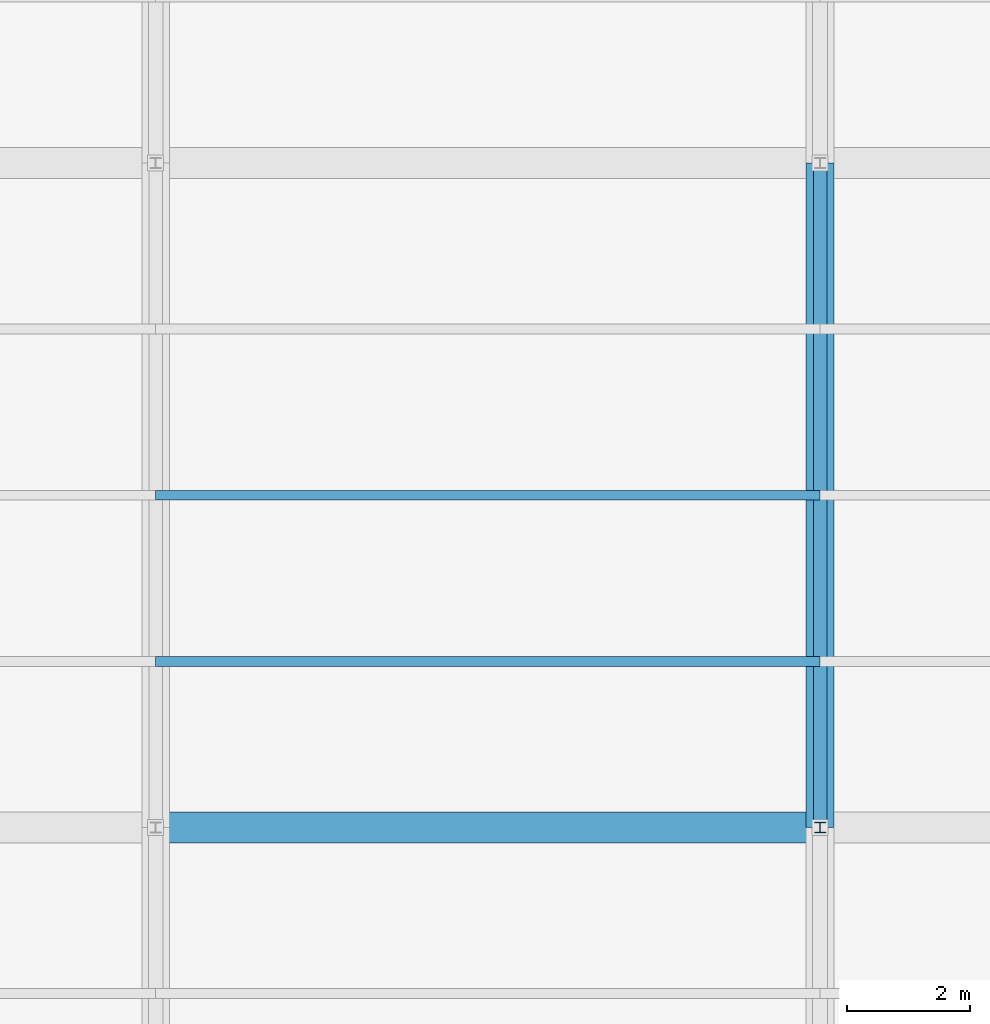
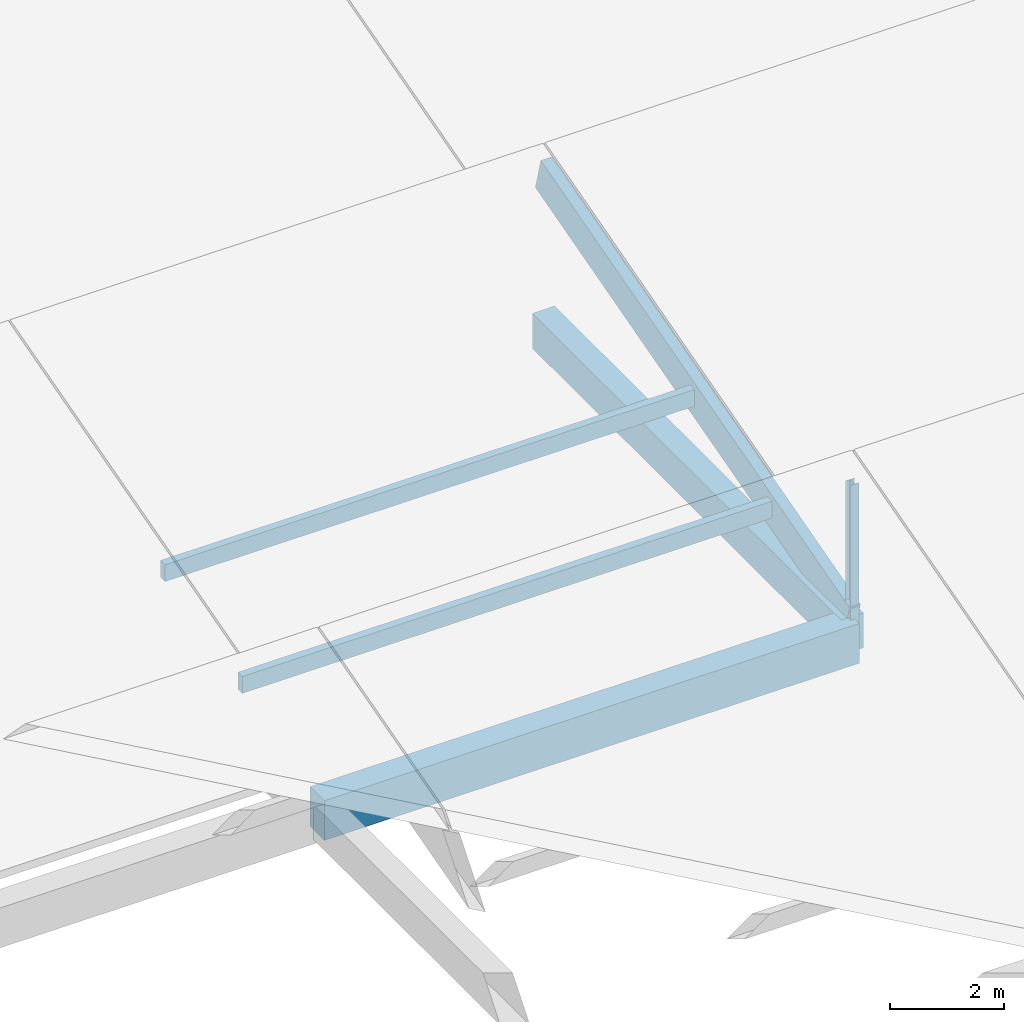
# One storey, part 10 of 112: 4 members, 2 beams.
"""IFC4 building model written with IfcOpenShell, lengths in metres."""

from ifc_helpers import new_model, si_unit, direction, frame, origin, origin_2d, place, context, subcontext, project, spatial, rectangle, i_section, extrude, material, material_profile, profile_set, type_object, element, save


model = new_model("IFC4")

# Units and contexts
model_context = context("Model", 3, precision=1e-05, world=origin(), true_north=direction((0.0, 1.0)))
body_context = subcontext(model_context, "Body", "Model", "MODEL_VIEW")
ifc_project = project(units=[si_unit("LENGTHUNIT", "METRE"), si_unit("AREAUNIT", "SQUARE_METRE"), si_unit("VOLUMEUNIT", "CUBIC_METRE"), si_unit("PLANEANGLEUNIT", "RADIAN"), si_unit("MASSUNIT", "GRAM", prefix="KILO")], contexts=[model_context])

# Site, building, storey
site_placement = place(None, origin())
site = spatial("IfcSite", under=ifc_project, at=site_placement, CompositionType="ELEMENT")
building_placement = place(site_placement, origin())
building = spatial("IfcBuilding", under=site, at=building_placement, Name="Zwinboog Wholesale Market", CompositionType="ELEMENT")
storey_placement = place(building_placement, frame((0.0, 0.0, 19.080078125)))
storey = spatial("IfcBuildingStorey", under=building, at=storey_placement, Name="Roof", CompositionType="ELEMENT", Elevation=19.080078125)

# Beams
ifc_material_1 = material(Name="Precast concrete C45/55", Category="concrete")
ifc_material_profile_1 = material_profile(ifc_material_1, rectangle(XDim=0.5, YDim=0.85009765625, at=origin_2d()), Name="PC 500x850")
ifc_profile_set_1 = profile_set([ifc_material_profile_1], Name="Precast concrete C45/55")
beam_type_1 = type_object("IfcBeamType", Name="BT-03", PredefinedType="BEAM", material=ifc_profile_set_1)
beam_1_placement = place(storey_placement, frame((10.800048828125, 32.39990234375, -9.425048828125), z_axis=(1.0, 0.0, 0.0), x_axis=(0.0, 1.0, 0.0)))
element("IfcBeam", 1, at=beam_1_placement, inside=storey, type_object=beam_type_1, Name="BG-03 (BMG-Roof-0108-0324-1160)", PredefinedType="BEAM", context=body_context, shape_type="SweptSolid", body=[
    extrude(rectangle(XDim=0.5, YDim=0.85009765625, at=origin_2d()), origin(), (0.0, 0.0, 1.0), 10.800048828125),
])
ifc_material_profile_2 = material_profile(ifc_material_1, rectangle(XDim=0.449951171875, YDim=0.75, at=origin_2d()), Name="PC 450x750")
ifc_profile_set_2 = profile_set([ifc_material_profile_2], Name="Precast concrete C45/55")
beam_type_2 = type_object("IfcBeamType", Name="BT-04", PredefinedType="BEAM", material=ifc_profile_set_2)
beam_2_placement = place(storey_placement, frame((21.60009765625, 32.39990234375, -9.375), z_axis=(0.0, 1.0, 0.0), x_axis=(-1.0, 0.0, 0.0)))
element("IfcBeam", 2, at=beam_2_placement, inside=storey, type_object=beam_type_2, Name="BG-04 (BMG-Roof-0216-0324-1224)", PredefinedType="BEAM", context=body_context, shape_type="SweptSolid", body=[
    extrude(rectangle(XDim=0.449951171875, YDim=0.75, at=origin_2d()), origin(), (0.0, 0.0, 1.0), 10.800048828125),
])

# Members
ifc_material_2 = material(Name="Steel S355", Category="steel")
ifc_material_profile_3 = material_profile(ifc_material_2, i_section(OverallWidth=0.179931640625, OverallDepth=0.1708984375, WebThickness=0.006103515625, FlangeThickness=0.009521484375, FilletRadius=0.014892578125, at=origin_2d()), Name="HEA 180")
ifc_profile_set_3 = profile_set([ifc_material_profile_3], Name="Steel S355")
member_type_1 = type_object("IfcMemberType", Name="MT-07", PredefinedType="BRACE", material=ifc_profile_set_3)
member_1_placement = place(storey_placement, frame((21.60009765625, 32.39990234375, -9.2001953125), z_axis=(0.0, 0.0, 1.0), x_axis=(1.0, 0.0, 0.0)))
element("IfcMember", 3, at=member_1_placement, inside=storey, type_object=member_type_1, Name="DB-04 (MEM-Roof-0710)", PredefinedType="BRACE", context=body_context, shape_type="SweptSolid", body=[
    extrude(i_section(OverallWidth=0.179931640625, OverallDepth=0.1708984375, WebThickness=0.006103515625, FlangeThickness=0.009521484375, FilletRadius=0.014892578125, at=origin_2d()), origin(), (0.0, 0.0, 1.0), 3.074462890625),
])
ifc_material_3 = material(Name="Glulam GL28h", Category="wood")
ifc_material_profile_4 = material_profile(ifc_material_3, rectangle(XDim=0.219970703125, YDim=0.719970703125, at=origin_2d()), Name="GL28h 220x720")
ifc_profile_set_4 = profile_set([ifc_material_profile_4], Name="Glulam GL28h")
member_type_2 = type_object("IfcMemberType", Name="MT-10", PredefinedType="RAFTER", material=ifc_profile_set_4)
member_2_placement = place(storey_placement, frame((21.60009765625, 32.39990234375, -9.065673828125), z_axis=(0.0, 0.963518221675, 0.26764274042), x_axis=(-1.0, 0.0, 0.0)))
element("IfcMember", 4, at=member_2_placement, inside=storey, type_object=member_type_2, Name="GR-02 (MEM-Roof-0729)", PredefinedType="RAFTER", context=body_context, shape_type="SweptSolid", body=[
    extrude(rectangle(XDim=0.219970703125, YDim=0.719970703125, at=origin_2d()), origin(), (0.0, 0.0, 1.0), 11.208984375),
])
ifc_material_profile_5 = material_profile(ifc_material_3, rectangle(XDim=0.159912109375, YDim=0.360107421875, at=origin_2d()), Name="GL28h 160x360")
ifc_profile_set_5 = profile_set([ifc_material_profile_5], Name="Glulam GL28h")
member_type_3 = type_object("IfcMemberType", Name="MT-12", PredefinedType="PURLIN", material=ifc_profile_set_5)
for number, where, z_axis, x_axis, name in (
    (5, (10.800048828125, 35.10009765625, -8.273193359375), (1.0, 0.0, 0.0), (0.0, 1.0, 0.0), "GP-01 (MEM-Roof-0726)"),
    (6, (10.800048828125, 37.800048828125, -7.523193359375), (1.0, 0.0, 0.0), (0.0, 1.0, 0.0), "GP-01 (MEM-PRL-Roof-0014)"),
):
    element("IfcMember", number, at=place(storey_placement, frame(where, z_axis=z_axis, x_axis=x_axis)), inside=storey, type_object=member_type_3, Name=name, PredefinedType="PURLIN", context=body_context, shape_type="SweptSolid", body=[
        extrude(rectangle(XDim=0.159912109375, YDim=0.360107421875, at=origin_2d()), origin(), (0.0, 0.0, 1.0), 10.800048828125),
    ])

save(model, "model.ifc")
